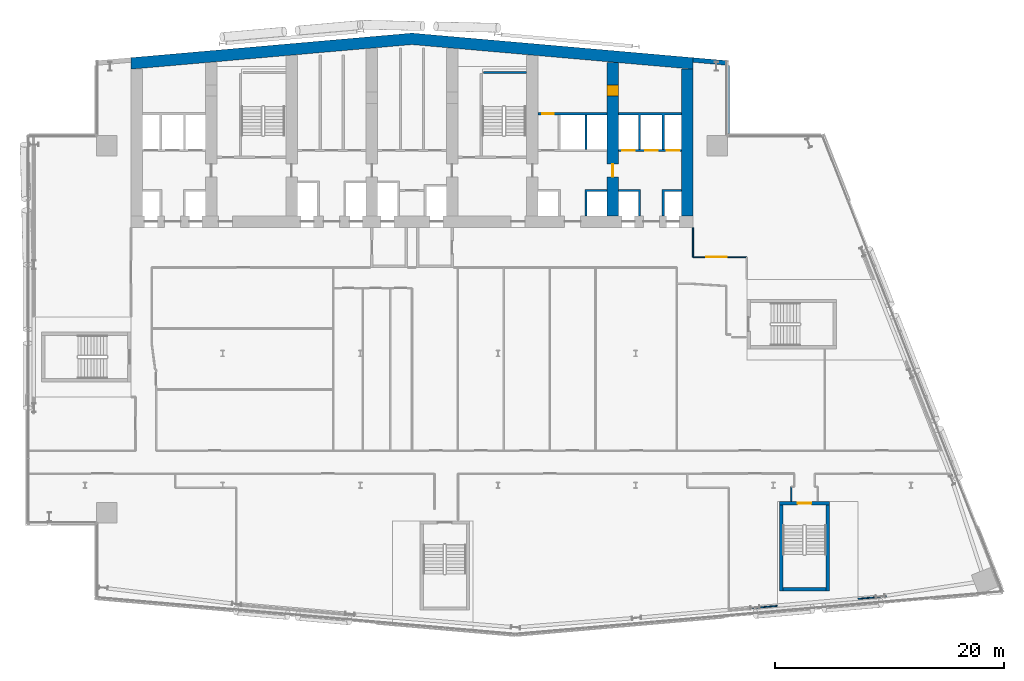
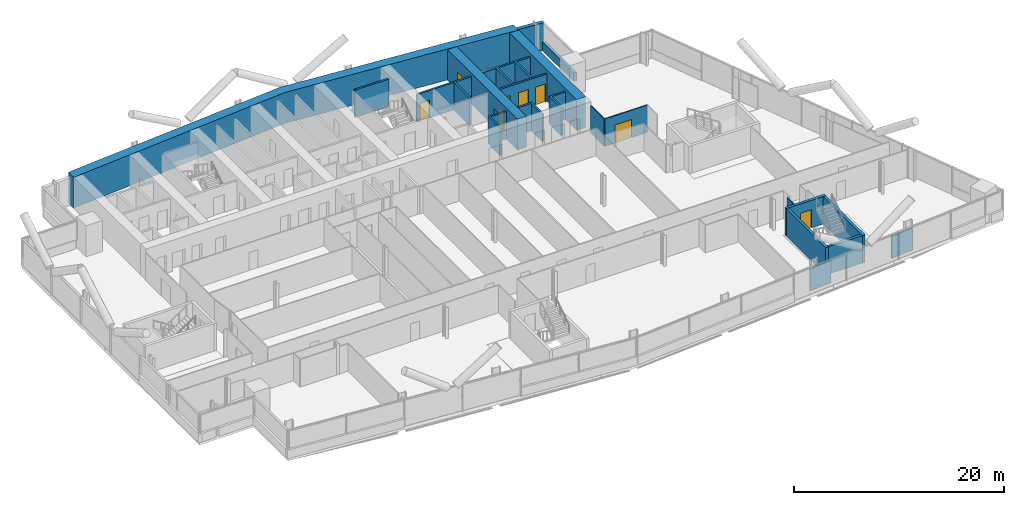
# One storey, part 18 of 27: 22 walls, 8 doors, 8 openings.
"""IFC4 building model written with IfcOpenShell, lengths in metres."""

from ifc_helpers import new_model, si_unit, direction, frame, frame_2d, origin, place, context, subcontext, project, spatial, polyline, rectangle, outline, extrude, material, layer, layer_set, type_object, element, fill, save


model = new_model("IFC4")

# Units and contexts
model_context = context("Model", 3, precision=1e-05, world=origin(), true_north=direction((0.0, 1.0)))
body_context = subcontext(model_context, "Body", "Model", "MODEL_VIEW")
ifc_project = project(units=[si_unit("LENGTHUNIT", "METRE"), si_unit("AREAUNIT", "SQUARE_METRE"), si_unit("VOLUMEUNIT", "CUBIC_METRE"), si_unit("PLANEANGLEUNIT", "RADIAN"), si_unit("MASSUNIT", "GRAM", prefix="KILO")], contexts=[model_context])

# Site, building, storey
site_placement = place(None, origin())
site = spatial("IfcSite", under=ifc_project, at=site_placement, CompositionType="ELEMENT")
building_placement = place(site_placement, origin())
building = spatial("IfcBuilding", under=site, at=building_placement, Name="Wharfspan Tower", CompositionType="ELEMENT")
storey_placement = place(building_placement, frame((0.0, 0.0, 139.899902)))
storey = spatial("IfcBuildingStorey", under=building, at=storey_placement, Name="L33", CompositionType="ELEMENT", Elevation=139.899902)

# Wall
ifc_material_1 = material(Name="Gypsum board on steel studs", Category="steel")
ifc_layer_1 = layer(ifc_material_1, 0.100098)
ifc_layer_set_1 = layer_set([ifc_layer_1], Name="Gypsum board on steel studs")
wall_type_1 = type_object("IfcWallType", Name="Compartment wall 100 EI 60", PredefinedType="PARTITIONING", material=ifc_layer_set_1)
wall_1_placement = place(storey_placement, frame((65.0, 31.399902, 0.0), z_axis=(0.0, 0.0, 1.0), x_axis=(0.0, 1.0, 0.0)))
element("IfcWall", 1, at=wall_1_placement, inside=storey, type_object=wall_type_1, Name="Partition L33.w037", PredefinedType="PARTITIONING", context=body_context, shape_type="SweptSolid", body=[
    extrude(rectangle(XDim=2.580078, YDim=0.100098, at=frame_2d((1.290039, 0.0))), origin(), (0.0, 0.0, 1.0), 3.200195),
])

# Wall, opening, door
wall_2_placement = place(storey_placement, frame((65.0, 31.399902, 0.0), z_axis=(0.0, 0.0, 1.0), x_axis=(1.0, 0.0, 0.0)))
wall_2 = element("IfcWall", 2, at=wall_2_placement, inside=storey, type_object=wall_type_1, Name="Partition L33.w038", PredefinedType="PARTITIONING", context=body_context, shape_type="SweptSolid", body=[
    extrude(rectangle(XDim=4.689941, YDim=0.100098, at=frame_2d((2.344971, 0.0))), origin(), (0.0, 0.0, 1.0), 3.200195),
])
opening_1_placement = place(wall_2_placement, frame((1.139893, 0.0, 0.0)))
opening_1 = element("IfcOpeningElement", 3, at=opening_1_placement, cuts=wall_2, Name="Opening B6-21", PredefinedType="OPENING", context=body_context, shape_type="SweptSolid", body=[
    extrude(rectangle(XDim=1.800049, YDim=2.100098, at=frame_2d((0.899902, 1.050049))), frame((0.0, 0.060059, 0.0), z_axis=(0.0, -1.0, 0.0), x_axis=(1.0, 0.0, 0.0)), (0.0, 0.0, 1.0), 0.120117),
])
ifc_material_2 = material(Name="Fire-rated timber door leaf in steel frame", Category="steel")
door_type_1 = type_object("IfcDoorType", Name="Door 1800 FD30S Double", OperationType="DOUBLE_DOOR_SINGLE_SWING", PredefinedType="DOOR", material=ifc_material_2)
door_1_placement = place(opening_1_placement, origin())
door_1 = element("IfcDoor", 4, at=door_1_placement, inside=storey, type_object=door_type_1, Name="Door B6-21", OperationType="DOUBLE_DOOR_SINGLE_SWING", OverallHeight=2.100098, OverallWidth=1.800049, PredefinedType="DOOR", context=body_context, shape_type="SweptSolid", body=[
    extrude(rectangle(XDim=1.800049, YDim=2.100098, at=frame_2d((0.899902, 1.050049))), frame((0.0, 0.024902, 0.0), z_axis=(0.0, -1.0, 0.0), x_axis=(1.0, 0.0, 0.0)), (0.0, 0.0, 1.0), 0.050049),
])
fill(opening_1, door_1)

# Walls
wall_3_placement = place(storey_placement, frame((73.564941, 10.114746, 0.0), z_axis=(0.0, 0.0, 1.0), x_axis=(0.0, 1.0, 0.0)))
element("IfcWall", 5, at=wall_3_placement, inside=storey, type_object=wall_type_1, Name="Partition L33.w047", PredefinedType="PARTITIONING", context=body_context, shape_type="SweptSolid", body=[
    extrude(rectangle(XDim=1.280273, YDim=0.100098, at=frame_2d((0.640137, 0.0))), origin(), (0.0, 0.0, 1.0), 3.200195),
])
ifc_material_3 = material(Name="Concrete C70/85", Category="concrete")
ifc_layer_2 = layer(ifc_material_3, 1.0)
ifc_layer_set_2 = layer_set([ifc_layer_2], Name="Concrete C70/85")
wall_type_2 = type_object("IfcWallType", Name="Core wall 1000 C70/85", PredefinedType="SHEAR", material=ifc_layer_set_2)
wall_4_placement = place(storey_placement, origin())
element("IfcWall", 6, at=wall_4_placement, inside=storey, type_object=wall_type_2, Name="Core rear wall L33", PredefinedType="SHEAR", context=body_context, shape_type="SweptSolid", body=[
    extrude(outline(polyline([(16.0, 47.783691), (40.5, 49.927002), (65.0, 47.783691), (65.0, 48.787354), (40.5, 50.930908), (16.0, 48.787354), (16.0, 47.783691)])), origin(), (0.0, 0.0, 1.0), 3.600098),
])

# Wall, openings, doors
wall_5_placement = place(storey_placement, frame((58.0, 35.0, 0.0), z_axis=(0.0, 0.0, 1.0), x_axis=(0.0, 1.0, 0.0)))
wall_5 = element("IfcWall", 7, at=wall_5_placement, inside=storey, type_object=wall_type_2, Name="Core cross wall X7 L33", PredefinedType="SHEAR", context=body_context, shape_type="SweptSolid", body=[
    extrude(rectangle(XDim=13.352295, YDim=1.0, at=frame_2d((6.67627, 0.0))), origin(), (0.0, 0.0, 1.0), 3.600098),
])
opening_2_placement = place(wall_5_placement, frame((10.425537, 0.0, 0.0)))
opening_2 = element("IfcOpeningElement", 8, at=opening_2_placement, cuts=wall_5, Name="Opening CD33.7X", PredefinedType="OPENING", context=body_context, shape_type="SweptSolid", body=[
    extrude(rectangle(XDim=1.0, YDim=2.100098, at=frame_2d((0.5, 1.050049))), frame((0.0, 0.51001, 0.0), z_axis=(0.0, -1.0, 0.0), x_axis=(1.0, 0.0, 0.0)), (0.0, 0.0, 1.0), 1.02002),
])
opening_3_placement = place(wall_5_placement, frame((3.399902, 0.0, 0.0)))
opening_3 = element("IfcOpeningElement", 9, at=opening_3_placement, cuts=wall_5, Name="Opening CC33.7", PredefinedType="OPENING", context=body_context, shape_type="SweptSolid", body=[
    extrude(rectangle(XDim=1.100098, YDim=2.100098, at=frame_2d((0.550049, 1.050049))), frame((0.0, 0.51001, 0.0), z_axis=(0.0, -1.0, 0.0), x_axis=(1.0, 0.0, 0.0)), (0.0, 0.0, 1.0), 1.02002),
])
ifc_material_4 = material(Name="Steel door leaf", Category="steel")
door_type_2 = type_object("IfcDoorType", Name="Core corridor door 1100x2100", OperationType="SINGLE_SWING_LEFT", PredefinedType="DOOR", material=ifc_material_4)
door_2_placement = place(opening_3_placement, origin())
door_2 = element("IfcDoor", 10, at=door_2_placement, inside=storey, type_object=door_type_2, Name="xd:L33:7", OperationType="SINGLE_SWING_LEFT", OverallHeight=2.100098, OverallWidth=1.100098, PredefinedType="DOOR", context=body_context, shape_type="SweptSolid", body=[
    extrude(rectangle(XDim=1.100098, YDim=2.100098, at=frame_2d((0.550049, 1.050049))), frame((0.0, 0.024902, 0.0), z_axis=(0.0, -1.0, 0.0), x_axis=(1.0, 0.0, 0.0)), (0.0, 0.0, 1.0), 0.050049),
])
fill(opening_3, door_2)
door_type_3 = type_object("IfcDoorType", Name="Core room door 1000x2100", OperationType="SINGLE_SWING_LEFT", PredefinedType="DOOR", material=ifc_material_4)
door_3_placement = place(opening_2_placement, origin())
door_3 = element("IfcDoor", 11, at=door_3_placement, inside=storey, type_object=door_type_3, Name="d:L33:7:sx", OperationType="SINGLE_SWING_LEFT", OverallHeight=2.100098, OverallWidth=1.0, PredefinedType="DOOR", context=body_context, shape_type="SweptSolid", body=[
    extrude(rectangle(XDim=1.0, YDim=2.100098, at=frame_2d((0.5, 1.050049))), frame((0.0, 0.499756, 0.0), z_axis=(0.0, -1.0, 0.0), x_axis=(1.0, 0.0, 0.0)), (0.0, 0.0, 1.0), 0.999512),
])
fill(opening_2, door_3)

# Wall
wall_6_placement = place(storey_placement, frame((64.5, 35.0, 0.0), z_axis=(0.0, 0.0, 1.0), x_axis=(0.0, 1.0, 0.0)))
element("IfcWall", 12, at=wall_6_placement, inside=storey, type_object=wall_type_2, Name="Core cross wall EW1 L33", PredefinedType="SHEAR", context=body_context, shape_type="SweptSolid", body=[
    extrude(rectangle(XDim=12.783691, YDim=1.0, at=frame_2d((6.391846, 0.0))), origin(), (0.0, 0.0, 1.0), 3.600098),
])

# Wall, opening, door
ifc_material_5 = material(Name="Concrete C30/37", Category="concrete")
ifc_layer_3 = layer(ifc_material_5, 0.199951)
ifc_layer_set_3 = layer_set([ifc_layer_3], Name="Concrete C30/37")
wall_type_3 = type_object("IfcWallType", Name="Lift shaft wall 200", PredefinedType="PARTITIONING", material=ifc_layer_set_3)
wall_7_placement = place(storey_placement, frame((51.5, 43.899902, 0.0), z_axis=(0.0, 0.0, 1.0), x_axis=(1.0, 0.0, 0.0)))
wall_7 = element("IfcWall", 13, at=wall_7_placement, inside=storey, type_object=wall_type_3, Name="sw:L33:RR6", PredefinedType="PARTITIONING", context=body_context, shape_type="SweptSolid", body=[
    extrude(rectangle(XDim=6.0, YDim=0.199951, at=frame_2d((3.0, 0.0))), origin(), (0.0, 0.0, 1.0), 3.200195),
])
opening_4_placement = place(wall_7_placement, frame((0.366699, 0.0, 0.0)))
opening_4 = element("IfcOpeningElement", 14, at=opening_4_placement, cuts=wall_7, Name="Opening CD33.6S1", PredefinedType="OPENING", context=body_context, shape_type="SweptSolid", body=[
    extrude(rectangle(XDim=1.0, YDim=2.100098, at=frame_2d((0.5, 1.050049))), frame((0.0, 0.109863, 0.0), z_axis=(0.0, -1.0, 0.0), x_axis=(1.0, 0.0, 0.0)), (0.0, 0.0, 1.0), 0.219971),
])
door_4_placement = place(opening_4_placement, origin())
door_4 = element("IfcDoor", 15, at=door_4_placement, inside=storey, type_object=door_type_3, Name="d:L33:6:rs6.1", OperationType="SINGLE_SWING_LEFT", OverallHeight=2.100098, OverallWidth=1.0, PredefinedType="DOOR", context=body_context, shape_type="SweptSolid", body=[
    extrude(rectangle(XDim=1.0, YDim=2.100098, at=frame_2d((0.5, 1.050049))), frame((0.0, 0.024902, 0.0), z_axis=(0.0, -1.0, 0.0), x_axis=(1.0, 0.0, 0.0)), (0.0, 0.0, 1.0), 0.050049),
])
fill(opening_4, door_4)

# Walls
wall_8_placement = place(storey_placement, origin())
element("IfcWall", 16, at=wall_8_placement, inside=storey, type_object=wall_type_3, Name="sw:L33:FM6.1", PredefinedType="PARTITIONING", context=body_context, shape_type="SweptSolid", body=[
    extrude(outline(polyline([(55.56665, 37.300049), (55.766602, 37.300049), (57.5, 37.300049), (57.5, 37.100098), (55.766602, 37.100098), (55.766602, 35.0), (55.56665, 35.0), (55.56665, 37.300049)])), origin(), (0.0, 0.0, 1.0), 3.200195),
])
wall_9_placement = place(storey_placement, origin())
element("IfcWall", 17, at=wall_9_placement, inside=storey, type_object=wall_type_3, Name="sw:L33:RM6.1", PredefinedType="PARTITIONING", context=body_context, shape_type="SweptSolid", body=[
    extrude(outline(polyline([(55.56665, 40.800049), (55.56665, 43.800049), (55.766602, 43.800049), (55.766602, 40.800049), (55.56665, 40.800049)])), origin(), (0.0, 0.0, 1.0), 3.200195),
])

# Wall, openings, doors
wall_10_placement = place(storey_placement, frame((58.5, 40.699951, 0.0), z_axis=(0.0, 0.0, 1.0), x_axis=(1.0, 0.0, 0.0)))
wall_10 = element("IfcWall", 18, at=wall_10_placement, inside=storey, type_object=wall_type_3, Name="sw:L33:RF7", PredefinedType="PARTITIONING", context=body_context, shape_type="SweptSolid", body=[
    extrude(rectangle(XDim=5.5, YDim=0.199951, at=frame_2d((2.75, 0.0))), origin(), (0.0, 0.0, 1.0), 3.200195),
])
opening_5_placement = place(wall_10_placement, frame((0.31665, 0.0, 0.0)))
opening_5 = element("IfcOpeningElement", 19, at=opening_5_placement, cuts=wall_10, Name="Opening LD.LA8.L33", PredefinedType="OPENING", context=body_context, shape_type="SweptSolid", body=[
    extrude(rectangle(XDim=1.100098, YDim=2.100098, at=frame_2d((0.550049, 1.050049))), frame((0.0, 0.109863, 0.0), z_axis=(0.0, -1.0, 0.0), x_axis=(1.0, 0.0, 0.0)), (0.0, 0.0, 1.0), 0.219971),
])
opening_6_placement = place(wall_10_placement, frame((2.31665, 0.0, 0.0)))
opening_6 = element("IfcOpeningElement", 20, at=opening_6_placement, cuts=wall_10, Name="Opening LD.LA9.L33", PredefinedType="OPENING", context=body_context, shape_type="SweptSolid", body=[
    extrude(rectangle(XDim=1.100098, YDim=2.100098, at=frame_2d((0.550049, 1.050049))), frame((0.0, 0.109863, 0.0), z_axis=(0.0, -1.0, 0.0), x_axis=(1.0, 0.0, 0.0)), (0.0, 0.0, 1.0), 0.219971),
])
opening_7_placement = place(wall_10_placement, frame((4.199951, 0.0, 0.0)))
opening_7 = element("IfcOpeningElement", 21, at=opening_7_placement, cuts=wall_10, Name="Opening LD.LA10.L33", PredefinedType="OPENING", context=body_context, shape_type="SweptSolid", body=[
    extrude(rectangle(XDim=1.100098, YDim=2.100098, at=frame_2d((0.550049, 1.050049))), frame((0.0, 0.109863, 0.0), z_axis=(0.0, -1.0, 0.0), x_axis=(1.0, 0.0, 0.0)), (0.0, 0.0, 1.0), 0.219971),
])
ifc_material_6 = material(Name="Stainless steel", Category="steel")
door_type_4 = type_object("IfcDoorType", Name="Lift landing door 1100x2100", OperationType="DOUBLE_DOOR_SLIDING", PredefinedType="DOOR", material=ifc_material_6)
door_5_placement = place(opening_5_placement, origin())
door_5 = element("IfcDoor", 22, at=door_5_placement, inside=storey, type_object=door_type_4, Name="Landing door LA8 L33", OperationType="DOUBLE_DOOR_SLIDING", OverallHeight=2.100098, OverallWidth=1.100098, PredefinedType="DOOR", context=body_context, shape_type="SweptSolid", body=[
    extrude(rectangle(XDim=1.100098, YDim=2.100098, at=frame_2d((0.550049, 1.050049))), frame((0.0, 0.024902, 0.0), z_axis=(0.0, -1.0, 0.0), x_axis=(1.0, 0.0, 0.0)), (0.0, 0.0, 1.0), 0.050049),
])
fill(opening_5, door_5)
door_6_placement = place(opening_6_placement, origin())
door_6 = element("IfcDoor", 23, at=door_6_placement, inside=storey, type_object=door_type_4, Name="Landing door LA9 L33", OperationType="DOUBLE_DOOR_SLIDING", OverallHeight=2.100098, OverallWidth=1.100098, PredefinedType="DOOR", context=body_context, shape_type="SweptSolid", body=[
    extrude(rectangle(XDim=1.100098, YDim=2.100098, at=frame_2d((0.550049, 1.050049))), frame((0.0, 0.024902, 0.0), z_axis=(0.0, -1.0, 0.0), x_axis=(1.0, 0.0, 0.0)), (0.0, 0.0, 1.0), 0.050049),
])
fill(opening_6, door_6)
door_7_placement = place(opening_7_placement, origin())
door_7 = element("IfcDoor", 24, at=door_7_placement, inside=storey, type_object=door_type_4, Name="Landing door LA10 L33", OperationType="DOUBLE_DOOR_SLIDING", OverallHeight=2.100098, OverallWidth=1.100098, PredefinedType="DOOR", context=body_context, shape_type="SweptSolid", body=[
    extrude(rectangle(XDim=1.100098, YDim=2.100098, at=frame_2d((0.550049, 1.050049))), frame((0.0, 0.024902, 0.0), z_axis=(0.0, -1.0, 0.0), x_axis=(1.0, 0.0, 0.0)), (0.0, 0.0, 1.0), 0.050049),
])
fill(opening_7, door_7)

# Walls
wall_11_placement = place(storey_placement, origin())
element("IfcWall", 25, at=wall_11_placement, inside=storey, type_object=wall_type_3, Name="sw:L33:FM7.0", PredefinedType="PARTITIONING", context=body_context, shape_type="SweptSolid", body=[
    extrude(outline(polyline([(60.233398, 37.100098), (58.5, 37.100098), (58.5, 37.300049), (60.233398, 37.300049), (60.43335, 37.300049), (60.43335, 35.0), (60.233398, 35.0), (60.233398, 37.100098)])), origin(), (0.0, 0.0, 1.0), 3.200195),
])
wall_12_placement = place(storey_placement, origin())
element("IfcWall", 26, at=wall_12_placement, inside=storey, type_object=wall_type_3, Name="sw:L33:FM7.1", PredefinedType="PARTITIONING", context=body_context, shape_type="SweptSolid", body=[
    extrude(outline(polyline([(62.300049, 37.300049), (62.5, 37.300049), (64.0, 37.300049), (64.0, 37.100098), (62.5, 37.100098), (62.5, 35.0), (62.300049, 35.0), (62.300049, 37.300049)])), origin(), (0.0, 0.0, 1.0), 3.200195),
])
wall_13_placement = place(storey_placement, origin())
element("IfcWall", 27, at=wall_13_placement, inside=storey, type_object=wall_type_3, Name="sw:L33:RM7.0", PredefinedType="PARTITIONING", context=body_context, shape_type="SweptSolid", body=[
    extrude(outline(polyline([(60.43335, 40.800049), (60.233398, 40.800049), (60.233398, 43.800049), (58.5, 43.800049), (58.5, 44.0), (64.0, 44.0), (64.0, 43.800049), (62.5, 43.800049), (62.5, 40.800049), (62.300049, 40.800049), (62.300049, 43.800049), (60.43335, 43.800049), (60.43335, 40.800049)])), origin(), (0.0, 0.0, 1.0), 3.200195),
])
ifc_layer_4 = layer(ifc_material_1, 0.100098)
ifc_layer_set_4 = layer_set([ifc_layer_4], Name="Gypsum board on steel studs")
wall_type_4 = type_object("IfcWallType", Name="Partition 100", PredefinedType="PARTITIONING", material=ifc_layer_set_4)
wall_14_placement = place(storey_placement, frame((69.909912, 0.780029, 0.0), z_axis=(0.0, 0.0, 1.0), x_axis=(0.99619, 0.087259, 0.0)))
element("IfcWall", 28, at=wall_14_placement, inside=storey, type_object=wall_type_4, Name="Partition L33.w046", PredefinedType="PARTITIONING", context=body_context, shape_type="SweptSolid", body=[
    extrude(rectangle(XDim=2.445312, YDim=0.100098, at=frame_2d((1.222656, 0.0))), origin(), (0.0, 0.0, 1.0), 2.580078),
])
wall_15_placement = place(storey_placement, frame((79.385986, 1.606689, 0.0), z_axis=(0.0, 0.0, 1.0), x_axis=(0.996209, 0.086973, 0.0)))
element("IfcWall", 29, at=wall_15_placement, inside=storey, type_object=wall_type_4, Name="Partition L33.w055", PredefinedType="PARTITIONING", context=body_context, shape_type="SweptSolid", body=[
    extrude(rectangle(XDim=2.453369, YDim=0.100098, at=frame_2d((1.226562, 0.0))), origin(), (0.0, 0.0, 1.0), 2.580078),
])
ifc_material_7 = material(Name="Concrete C40/50", Category="concrete")
ifc_layer_5 = layer(ifc_material_7, 0.350098)
ifc_layer_set_5 = layer_set([ifc_layer_5], Name="Concrete C40/50")
wall_type_5 = type_object("IfcWallType", Name="SPANDREL EXPOSED CONCRETE 350", PredefinedType="SOLIDWALL", material=ifc_layer_set_5)
wall_16_placement = place(storey_placement, frame((68.004883, 42.179932, 0.0), z_axis=(0.0, 0.0, 1.0), x_axis=(0.0, 1.0, 0.0)))
element("IfcWall", 30, at=wall_16_placement, inside=storey, type_object=wall_type_5, Name="Spandrel upstand L33 NRE-V", PredefinedType="SOLIDWALL", context=body_context, shape_type="SweptSolid", body=[
    extrude(rectangle(XDim=5.946533, YDim=0.350098, at=frame_2d((2.973145, 0.0))), origin(), (0.0, 0.0, 1.0), 1.0),
])

# Wall, opening, door
ifc_layer_6 = layer(ifc_material_7, 0.300049)
ifc_layer_set_6 = layer_set([ifc_layer_6], Name="Concrete C40/50")
wall_type_6 = type_object("IfcWallType", Name="Stair core wall 300", PredefinedType="SHEAR", material=ifc_layer_set_6)
wall_17_placement = place(storey_placement, frame((72.541016, 9.94458, 0.0), z_axis=(0.0, 0.0, 1.0), x_axis=(1.0, 0.0, 0.0)))
wall_17 = element("IfcWall", 31, at=wall_17_placement, inside=storey, type_object=wall_type_6, Name="ST5 stair enclosure wall L33", PredefinedType="SHEAR", context=body_context, shape_type="SweptSolid", body=[
    extrude(rectangle(XDim=4.350098, YDim=0.300049, at=frame_2d((2.175049, 0.0))), origin(), (0.0, 0.0, 1.0), 3.200195),
])
opening_8_placement = place(wall_17_placement, frame((1.574951, 0.0, 0.0)))
opening_8 = element("IfcOpeningElement", 32, at=opening_8_placement, cuts=wall_17, Name="Opening SD5.L33", PredefinedType="OPENING", context=body_context, shape_type="SweptSolid", body=[
    extrude(rectangle(XDim=1.199951, YDim=2.100098, at=frame_2d((0.600098, 1.050049))), frame((0.0, 0.159912, 0.0), z_axis=(0.0, -1.0, 0.0), x_axis=(1.0, 0.0, 0.0)), (0.0, 0.0, 1.0), 0.320068),
])
door_type_5 = type_object("IfcDoorType", Name="Stair door 1200x2100", OperationType="SINGLE_SWING_LEFT", PredefinedType="DOOR", material=ifc_material_4)
door_8_placement = place(opening_8_placement, origin())
door_8 = element("IfcDoor", 33, at=door_8_placement, inside=storey, type_object=door_type_5, Name="sd:L33:ST5z2", OperationType="SINGLE_SWING_RIGHT", OverallHeight=2.100098, OverallWidth=1.199951, PredefinedType="DOOR", context=body_context, shape_type="SweptSolid", body=[
    extrude(rectangle(XDim=1.199951, YDim=2.100098, at=frame_2d((0.600098, 1.050049))), frame((0.0, 0.024902, 0.0), z_axis=(0.0, -1.0, 0.0), x_axis=(1.0, 0.0, 0.0)), (0.0, 0.0, 1.0), 0.050049),
])
fill(opening_8, door_8)

# Walls
for number, where, z_axis, x_axis, name in (
    (34, (72.690918, 2.294678, 0.0), (0.0, 0.0, 1.0), (0.0, 1.0, 0.0), "ST5 stair enclosure wall L33"),
    (35, (76.740967, 2.294678, 0.0), (0.0, 0.0, 1.0), (0.0, 1.0, 0.0), "ST5 stair enclosure wall L33"),
):
    element("IfcWall", number, at=place(storey_placement, frame(where, z_axis=z_axis, x_axis=x_axis)), inside=storey, type_object=wall_type_6, Name=name, PredefinedType="SHEAR", context=body_context, shape_type="SweptSolid", body=[
        extrude(rectangle(XDim=7.5, YDim=0.300049, at=frame_2d((3.75, 0.0))), origin(), (0.0, 0.0, 1.0), 3.200195),
    ])
wall_18_placement = place(storey_placement, frame((72.841064, 2.44458, 0.0), z_axis=(0.0, 0.0, 1.0), x_axis=(1.0, 0.0, 0.0)))
element("IfcWall", 36, at=wall_18_placement, inside=storey, type_object=wall_type_6, Name="ST5 stair enclosure wall L33", PredefinedType="SHEAR", context=body_context, shape_type="SweptSolid", body=[
    extrude(rectangle(XDim=3.75, YDim=0.300049, at=frame_2d((1.875, 0.0))), origin(), (0.0, 0.0, 1.0), 3.200195),
])
ifc_layer_7 = layer(ifc_material_7, 0.199951)
ifc_layer_set_7 = layer_set([ifc_layer_7], Name="Concrete C40/50")
wall_type_7 = type_object("IfcWallType", Name="Stair shaft wall 200", PredefinedType="SHEAR", material=ifc_layer_set_7)
wall_19_placement = place(storey_placement, frame((46.75, 47.5, 0.0), z_axis=(0.0, 0.0, 1.0), x_axis=(1.0, 0.0, 0.0)))
element("IfcWall", 37, at=wall_19_placement, inside=storey, type_object=wall_type_7, Name="ST2 stair enclosure wall L33", PredefinedType="SHEAR", context=body_context, shape_type="SweptSolid", body=[
    extrude(rectangle(XDim=3.75, YDim=0.199951, at=frame_2d((1.875, 0.0))), origin(), (0.0, 0.0, 1.0), 3.200195),
])
ifc_layer_8 = layer(ifc_material_7, 0.399902)
ifc_layer_set_8 = layer_set([ifc_layer_8], Name="Concrete C40/50")
wall_type_8 = type_object("IfcWallType", Name="WALL EXPOSED CONCRETE 400", PredefinedType="SOLIDWALL", material=ifc_layer_set_8)
wall_20_placement = place(storey_placement, frame((67.982666, 48.325684, 0.0), z_axis=(0.0, 0.0, 1.0), x_axis=(-0.996194, 0.087168, 0.0)))
element("IfcWall", 38, at=wall_20_placement, inside=storey, type_object=wall_type_8, Name="Rear wall N2", PredefinedType="SOLIDWALL", context=body_context, shape_type="SweptSolid", body=[
    extrude(rectangle(XDim=2.994141, YDim=0.399902, at=frame_2d((1.49707, 0.0))), origin(), (0.0, 0.0, 1.0), 3.200195),
])

save(model, "model.ifc")
